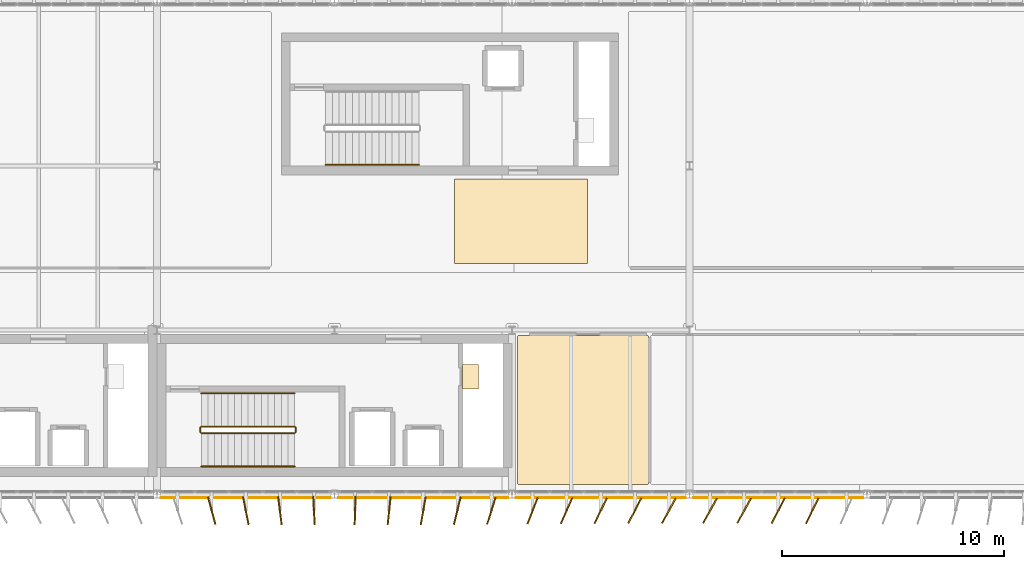
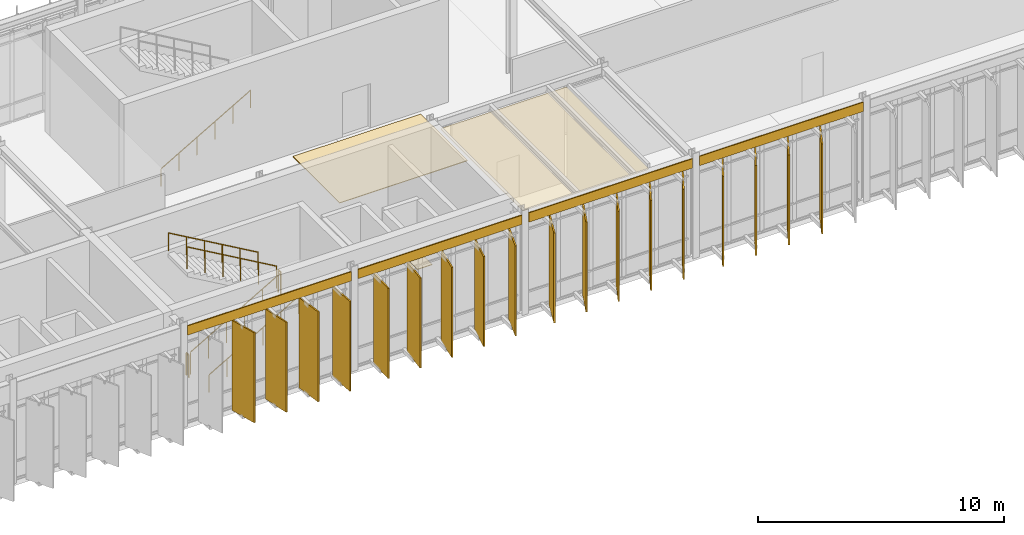
# One storey, part 42 of 48: 25 coverings, 7 railings.
"""IFC4 building model written with IfcOpenShell, lengths in metres."""

from ifc_helpers import new_model, si_unit, direction, frame, frame_2d, origin, origin_2d, place, context, subcontext, project, spatial, polyline, rectangle, circle, outline, extrude, material, layer, layer_set, type_object, element, save


model = new_model("IFC4")

# Units and contexts
model_context = context("Model", 3, precision=1e-05, world=origin(), true_north=direction((0.0, 1.0)))
body_context = subcontext(model_context, "Body", "Model", "MODEL_VIEW")
ifc_project = project(units=[si_unit("LENGTHUNIT", "METRE"), si_unit("AREAUNIT", "SQUARE_METRE"), si_unit("VOLUMEUNIT", "CUBIC_METRE"), si_unit("PLANEANGLEUNIT", "RADIAN"), si_unit("MASSUNIT", "GRAM", prefix="KILO")], contexts=[model_context])

# Site, building, storey
site_placement = place(None, origin())
site = spatial("IfcSite", under=ifc_project, at=site_placement, CompositionType="ELEMENT")
building_placement = place(site_placement, origin())
building = spatial("IfcBuilding", under=site, at=building_placement, Name="Valkorina Park Police Headquarters", CompositionType="ELEMENT")
storey_placement = place(building_placement, frame((0.0, 0.0, 18.10009765625)))
storey = spatial("IfcBuildingStorey", under=building, at=storey_placement, Name="L05", CompositionType="ELEMENT", Elevation=18.10009765625)

# Coverings
ifc_material_1 = material(Name="Acoustic mineral board")
ifc_layer_1 = layer(ifc_material_1, 0.02490234375)
ifc_layer_set_1 = layer_set([ifc_layer_1], Name="Acoustic mineral board")
covering_type_1 = type_object("IfcCoveringType", Name="COV-CEILING-ACOUST", PredefinedType="CEILING", material=ifc_layer_set_1)
covering_1_placement = place(storey_placement, frame((0.0, 0.0, 4.65478515625)))
element("IfcCovering", 1, at=covering_1_placement, inside=storey, type_object=covering_type_1, Name="L05 Accessible WC Acoustic Suspended Ceiling", PredefinedType="CEILING", context=body_context, shape_type="SweptSolid", body=[
    extrude(outline(polyline([(54.8955078125, 44.158447265625), (54.8876953125, 44.15966796875), (54.8798828125, 44.159912109375), (49.1201171875, 44.159912109375), (49.1123046875, 44.15966796875), (49.1044921875, 44.158447265625), (49.0966796875, 44.156494140625), (49.08935546875, 44.15380859375), (49.082275390625, 44.150634765625), (49.07568359375, 44.146484375), (49.069091796875, 44.141845703125), (49.0634765625, 44.13671875), (49.05810546875, 44.130859375), (49.053466796875, 44.12451171875), (49.04931640625, 44.11767578125), (49.046142578125, 44.110595703125), (49.04345703125, 44.103271484375), (49.04150390625, 44.095703125), (49.040283203125, 44.087890625), (49.0400390625, 44.080078125), (49.0400390625, 37.52001953125), (49.040283203125, 37.51220703125), (49.04150390625, 37.50439453125), (49.04345703125, 37.496826171875), (49.046142578125, 37.489501953125), (49.04931640625, 37.482421875), (49.053466796875, 37.4755859375), (49.05810546875, 37.46923828125), (49.0634765625, 37.46337890625), (49.069091796875, 37.458251953125), (49.07568359375, 37.45361328125), (49.082275390625, 37.449462890625), (49.08935546875, 37.446044921875), (49.0966796875, 37.443359375), (49.1044921875, 37.44140625), (49.1123046875, 37.4404296875), (49.1201171875, 37.43994140625), (54.8798828125, 37.43994140625), (54.8876953125, 37.4404296875), (54.8955078125, 37.44140625), (54.9033203125, 37.443359375), (54.91064453125, 37.446044921875), (54.917724609375, 37.449462890625), (54.92431640625, 37.45361328125), (54.930908203125, 37.458251953125), (54.9365234375, 37.46337890625), (54.94189453125, 37.46923828125), (54.946533203125, 37.4755859375), (54.95068359375, 37.482421875), (54.953857421875, 37.489501953125), (54.95654296875, 37.496826171875), (54.95849609375, 37.50439453125), (54.959716796875, 37.51220703125), (54.9599609375, 37.52001953125), (54.9599609375, 44.080078125), (54.959716796875, 44.087890625), (54.95849609375, 44.095703125), (54.95654296875, 44.103271484375), (54.953857421875, 44.110595703125), (54.95068359375, 44.11767578125), (54.946533203125, 44.12451171875), (54.94189453125, 44.130859375), (54.9365234375, 44.13671875), (54.930908203125, 44.141845703125), (54.92431640625, 44.146484375), (54.917724609375, 44.150634765625), (54.91064453125, 44.15380859375), (54.9033203125, 44.156494140625), (54.8955078125, 44.158447265625)])), origin(), (0.0, 0.0, 1.0), 0.025146484375),
])
ifc_material_2 = material(Name="Precast concrete C40/50", Category="concrete")
ifc_layer_2 = layer(ifc_material_2, 0.044921875)
ifc_layer_set_2 = layer_set([ifc_layer_2], Name="Precast concrete C40/50")
covering_type_2 = type_object("IfcCoveringType", Name="COV-CLAD-DOLOMITE", PredefinedType="CLADDING", material=ifc_layer_set_2)
for number, where, z_axis, x_axis, name in (
    (2, (64.639892578125, 36.840087890625, 4.52001953125), (0.0, 0.0, 1.0), (-1.0, 0.0, 0.0), "L05 Spandrel Beam Insulated Fascia 2402"),
    (3, (56.639892578125, 36.840087890625, 4.52001953125), (0.0, 0.0, 1.0), (-1.0, 0.0, 0.0), "L05 Spandrel Beam Insulated Fascia 2403"),
    (4, (48.639892578125, 36.840087890625, 4.52001953125), (0.0, 0.0, 1.0), (-1.0, 0.0, 0.0), "L05 Spandrel Beam Insulated Fascia 2404"),
    (5, (40.639892578125, 36.840087890625, 4.52001953125), (0.0, 0.0, 1.0), (-1.0, 0.0, 0.0), "L05 Spandrel Beam Insulated Fascia 2405"),
):
    element("IfcCovering", number, at=place(storey_placement, frame(where, z_axis=z_axis, x_axis=x_axis)), inside=storey, type_object=covering_type_2, Name=name, PredefinedType="CLADDING", context=body_context, shape_type="SweptSolid", body=[
        extrude(rectangle(XDim=7.679931640625, YDim=0.044921875, at=frame_2d((3.83984375, 0.0))), origin(), (0.0, 0.0, 1.0), 0.4599609375),
    ])
ifc_material_3 = material(Name="Resin terrazzo flooring")
ifc_layer_3 = layer(ifc_material_3, 0.030029296875)
ifc_layer_set_3 = layer_set([ifc_layer_3], Name="Resin terrazzo flooring")
covering_type_3 = type_object("IfcCoveringType", Name="COV-FLOOR-TERRAZZO", PredefinedType="FLOORING", material=ifc_layer_set_3)
covering_2_placement = place(storey_placement, origin())
element("IfcCovering", 6, at=covering_2_placement, inside=storey, type_object=covering_type_3, Name="Core C2 L05 Riser Inspection Threshold Grate", PredefinedType="FLOORING", context=body_context, shape_type="SweptSolid", body=[
    extrude(outline(polyline([(47.280029296875, 41.75), (47.280029296875, 42.85009765625), (46.580078125, 42.85009765625), (46.580078125, 41.75), (47.280029296875, 41.75)])), origin(), (0.0, 0.0, 1.0), 0.02978515625),
])
covering_3_placement = place(storey_placement, origin())
element("IfcCovering", 7, at=covering_3_placement, inside=storey, type_object=covering_type_3, Name="L05 Core C3 Access Corridor Terrazzo Flooring", PredefinedType="FLOORING", context=body_context, shape_type="SweptSolid", body=[
    extrude(outline(polyline([(46.199951171875, 51.199951171875), (46.199951171875, 47.39990234375), (52.199951171875, 47.39990234375), (52.199951171875, 51.199951171875), (46.199951171875, 51.199951171875)])), origin(), (0.0, 0.0, 1.0), 0.02978515625),
])

# Railings
ifc_material_4 = material(Name="Stainless steel EN 1.4404", Category="steel")
railing_type_1 = type_object("IfcRailingType", Name="RL-GUARD-INT-1100", PredefinedType="BALUSTRADE", material=ifc_material_4)
railing_1_placement = place(storey_placement, frame((34.800048828125, 39.75, 0.17333984375)))
element("IfcRailing", 8, at=railing_1_placement, inside=storey, type_object=railing_type_1, Name="L05 Core C2 Stair Guard 1", PredefinedType="BALUSTRADE", context=body_context, shape_type="SweptSolid", body=[
    extrude(circle(Radius=0.02392578125, at=origin_2d()), frame((0.0, 0.0, 1.09619140625), z_axis=(0.865876216699, 0.0, 0.50025831063), x_axis=(0.0, 1.0, 0.0)), (0.0, 0.0, 1.0), 4.8505859375),
    extrude(circle(Radius=0.02099609375, at=origin_2d()), origin(), (0.0, 0.0, 1.0), 1.072021484375),
    extrude(circle(Radius=0.02099609375, at=origin_2d()), frame((0.840087890625, 0.0, 0.4853515625)), (0.0, 0.0, 1.0), 1.072021484375),
    extrude(circle(Radius=0.02099609375, at=origin_2d()), frame((1.679931640625, 0.0, 0.970703125)), (0.0, 0.0, 1.0), 1.072021484375),
    extrude(circle(Radius=0.02099609375, at=origin_2d()), frame((2.52001953125, 0.0, 1.455810546875)), (0.0, 0.0, 1.0), 1.072021484375),
    extrude(circle(Radius=0.02099609375, at=origin_2d()), frame((3.35986328125, 0.0, 1.941162109375)), (0.0, 0.0, 1.0), 1.072021484375),
    extrude(circle(Radius=0.02099609375, at=origin_2d()), frame((4.199951171875, 0.0, 2.426513671875)), (0.0, 0.0, 1.0), 1.072021484375),
])
railing_2_placement = place(storey_placement, frame((39.050048828125, 39.800048828125, 2.599853515625)))
element("IfcRailing", 9, at=railing_2_placement, inside=storey, type_object=railing_type_1, Name="L05 Core C2 Stair Guard 2", PredefinedType="BALUSTRADE", context=body_context, shape_type="SweptSolid", body=[
    extrude(circle(Radius=0.02392578125, at=origin_2d()), frame((0.0, 0.0, 1.09619140625), z_axis=(0.0, 1.0, 0.0), x_axis=(-1.0, 0.0, 0.0)), (0.0, 0.0, 1.0), 0.199951171875),
    extrude(circle(Radius=0.02099609375, at=origin_2d()), origin(), (0.0, 0.0, 1.0), 1.072021484375),
    extrude(circle(Radius=0.02099609375, at=origin_2d()), frame((0.0, 0.199951171875, 0.0)), (0.0, 0.0, 1.0), 1.072021484375),
])
railing_3_placement = place(storey_placement, frame((39.0, 40.050048828125, 2.773193359375)))
element("IfcRailing", 10, at=railing_3_placement, inside=storey, type_object=railing_type_1, Name="L05 Core C2 Stair Guard 3", PredefinedType="BALUSTRADE", context=body_context, shape_type="SweptSolid", body=[
    extrude(circle(Radius=0.02392578125, at=origin_2d()), frame((0.0, 0.0, 1.09619140625), z_axis=(-0.865854414154, 0.0, 0.500296045846), x_axis=(0.0, -1.0, 0.0)), (0.0, 0.0, 1.0), 4.8505859375),
    extrude(circle(Radius=0.02099609375, at=origin_2d()), origin(), (0.0, 0.0, 1.0), 1.072021484375),
    extrude(circle(Radius=0.02099609375, at=origin_2d()), frame((-0.840087890625, 0.0, 0.4853515625)), (0.0, 0.0, 1.0), 1.072021484375),
    extrude(circle(Radius=0.02099609375, at=origin_2d()), frame((-1.679931640625, 0.0, 0.970703125)), (0.0, 0.0, 1.0), 1.072021484375),
    extrude(circle(Radius=0.02099609375, at=origin_2d()), frame((-2.52001953125, 0.0, 1.4560546875)), (0.0, 0.0, 1.0), 1.072021484375),
    extrude(circle(Radius=0.02099609375, at=origin_2d()), frame((-3.35986328125, 0.0, 1.94140625)), (0.0, 0.0, 1.0), 1.072021484375),
    extrude(circle(Radius=0.02099609375, at=origin_2d()), frame((-4.199951171875, 0.0, 2.4267578125)), (0.0, 0.0, 1.0), 1.072021484375),
])
railing_4_placement = place(storey_placement, frame((34.75, 39.800048828125, 0.0)))
element("IfcRailing", 11, at=railing_4_placement, inside=storey, type_object=railing_type_1, Name="L05 Core C2 Stair Guard 4", PredefinedType="BALUSTRADE", context=body_context, shape_type="SweptSolid", body=[
    extrude(circle(Radius=0.02392578125, at=origin_2d()), frame((0.0, 0.0, 1.09619140625), z_axis=(0.0, 1.0, 0.0), x_axis=(-1.0, 0.0, 0.0)), (0.0, 0.0, 1.0), 0.199951171875),
    extrude(circle(Radius=0.02099609375, at=origin_2d()), origin(), (0.0, 0.0, 1.0), 1.072021484375),
    extrude(circle(Radius=0.02099609375, at=origin_2d()), frame((0.0, 0.199951171875, 0.0)), (0.0, 0.0, 1.0), 1.072021484375),
])
railing_type_2 = type_object("IfcRailingType", Name="RL-HANDRAIL-900", PredefinedType="HANDRAIL", material=ifc_material_4)
railing_5_placement = place(storey_placement, frame((34.800048828125, 38.25, 0.17333984375)))
element("IfcRailing", 12, at=railing_5_placement, inside=storey, type_object=railing_type_2, Name="L05 Core C2 Stair Handrail 1", PredefinedType="HANDRAIL", context=body_context, shape_type="SweptSolid", body=[
    extrude(circle(Radius=0.02392578125, at=origin_2d()), frame((0.0, 0.0, 0.8759765625), z_axis=(0.865876216699, 0.0, 0.50025831063), x_axis=(0.0, 1.0, 0.0)), (0.0, 0.0, 1.0), 4.8505859375),
    extrude(circle(Radius=0.02099609375, at=origin_2d()), origin(), (0.0, 0.0, 1.0), 0.851806640625),
    extrude(circle(Radius=0.02099609375, at=origin_2d()), frame((0.840087890625, 0.0, 0.4853515625)), (0.0, 0.0, 1.0), 0.851806640625),
    extrude(circle(Radius=0.02099609375, at=origin_2d()), frame((1.679931640625, 0.0, 0.970703125)), (0.0, 0.0, 1.0), 0.851806640625),
    extrude(circle(Radius=0.02099609375, at=origin_2d()), frame((2.52001953125, 0.0, 1.455810546875)), (0.0, 0.0, 1.0), 0.851806640625),
    extrude(circle(Radius=0.02099609375, at=origin_2d()), frame((3.35986328125, 0.0, 1.941162109375)), (0.0, 0.0, 1.0), 0.851806640625),
    extrude(circle(Radius=0.02099609375, at=origin_2d()), frame((4.199951171875, 0.0, 2.426513671875)), (0.0, 0.0, 1.0), 0.851806640625),
])
railing_6_placement = place(storey_placement, frame((39.0, 41.550048828125, 2.773193359375)))
element("IfcRailing", 13, at=railing_6_placement, inside=storey, type_object=railing_type_2, Name="L05 Core C2 Stair Handrail 2", PredefinedType="HANDRAIL", context=body_context, shape_type="SweptSolid", body=[
    extrude(circle(Radius=0.02392578125, at=origin_2d()), frame((0.0, 0.0, 0.8759765625), z_axis=(-0.865854414154, 0.0, 0.500296045846), x_axis=(0.0, -1.0, 0.0)), (0.0, 0.0, 1.0), 4.8505859375),
    extrude(circle(Radius=0.02099609375, at=origin_2d()), origin(), (0.0, 0.0, 1.0), 0.851806640625),
    extrude(circle(Radius=0.02099609375, at=origin_2d()), frame((-0.840087890625, 0.0, 0.4853515625)), (0.0, 0.0, 1.0), 0.851806640625),
    extrude(circle(Radius=0.02099609375, at=origin_2d()), frame((-1.679931640625, 0.0, 0.970703125)), (0.0, 0.0, 1.0), 0.851806640625),
    extrude(circle(Radius=0.02099609375, at=origin_2d()), frame((-2.52001953125, 0.0, 1.4560546875)), (0.0, 0.0, 1.0), 0.851806640625),
    extrude(circle(Radius=0.02099609375, at=origin_2d()), frame((-3.35986328125, 0.0, 1.94140625)), (0.0, 0.0, 1.0), 0.851806640625),
    extrude(circle(Radius=0.02099609375, at=origin_2d()), frame((-4.199951171875, 0.0, 2.4267578125)), (0.0, 0.0, 1.0), 0.851806640625),
])
railing_7_placement = place(storey_placement, frame((40.39990234375, 51.85009765625, 0.17333984375)))
element("IfcRailing", 14, at=railing_7_placement, inside=storey, type_object=railing_type_2, Name="L05 Core C3 Stair Handrail 1", PredefinedType="HANDRAIL", context=body_context, shape_type="SweptSolid", body=[
    extrude(circle(Radius=0.02392578125, at=origin_2d()), frame((0.0, 0.0, 0.8759765625), z_axis=(0.865888812096, 0.0, 0.50023650915), x_axis=(0.0, 1.0, 0.0)), (0.0, 0.0, 1.0), 4.850830078125),
    extrude(circle(Radius=0.02099609375, at=origin_2d()), origin(), (0.0, 0.0, 1.0), 0.851806640625),
    extrude(circle(Radius=0.02099609375, at=origin_2d()), frame((0.840087890625, 0.0, 0.4853515625)), (0.0, 0.0, 1.0), 0.851806640625),
    extrude(circle(Radius=0.02099609375, at=origin_2d()), frame((1.68017578125, 0.0, 0.970703125)), (0.0, 0.0, 1.0), 0.851806640625),
    extrude(circle(Radius=0.02099609375, at=origin_2d()), frame((2.52001953125, 0.0, 1.455810546875)), (0.0, 0.0, 1.0), 0.851806640625),
    extrude(circle(Radius=0.02099609375, at=origin_2d()), frame((3.360107421875, 0.0, 1.941162109375)), (0.0, 0.0, 1.0), 0.851806640625),
    extrude(circle(Radius=0.02099609375, at=origin_2d()), frame((4.2001953125, 0.0, 2.426513671875)), (0.0, 0.0, 1.0), 0.851806640625),
])

# Coverings
ifc_material_5 = material(Name="Polychrome anodized aluminium - Baltic Amber", Category="aluminium")
ifc_layer_4 = layer(ifc_material_5, 0.06494140625)
ifc_layer_set_4 = layer_set([ifc_layer_4], Name="Polychrome anodized aluminium - Baltic Amber")
covering_type_4 = type_object("IfcCoveringType", Name="SHD-LOUVRE-AMBER", PredefinedType="CLADDING", material=ifc_layer_set_4)
for number, where, z_axis, x_axis, name in (
    (15, (62.3359375, 36.260009765625, 0.0400390625), (0.0, 0.0, 1.0), (-0.439939169856, -0.898027575761, 0.0), "V5 Polychrome Pivoting Louvre 0189"),
    (16, (55.8720703125, 36.260009765625, 0.0400390625), (0.0, 0.0, 1.0), (-0.478998302645, -0.877815826961, 0.0), "V5 Polychrome Pivoting Louvre 0193"),
    (17, (49.72802734375, 36.260009765625, 0.0400390625), (0.0, 0.0, 1.0), (-0.363088614146, -0.931754612695, 0.0), "V5 Polychrome Pivoting Louvre 0197"),
    (18, (43.263916015625, 36.260009765625, 0.0400390625), (0.0, 0.0, 1.0), (-0.105396307434, -0.994430298402, 0.0), "V5 Polychrome Pivoting Louvre 0201"),
    (19, (36.800048828125, 36.260009765625, 0.0400390625), (0.0, 0.0, 1.0), (0.197486247774, -0.980305657405, 0.0), "V5 Polychrome Pivoting Louvre 0205"),
):
    element("IfcCovering", number, at=place(storey_placement, frame(where, z_axis=z_axis, x_axis=x_axis)), inside=storey, type_object=covering_type_4, Name=name, PredefinedType="CLADDING", context=body_context, shape_type="SweptSolid", body=[
        extrude(rectangle(XDim=1.280029296875, YDim=0.06494140625, at=origin_2d()), origin(), (0.0, 0.0, 1.0), 4.4599609375),
    ])
ifc_material_6 = material(Name="Polychrome anodized aluminium - Riga Ochre", Category="aluminium")
ifc_layer_5 = layer(ifc_material_6, 0.06494140625)
ifc_layer_set_5 = layer_set([ifc_layer_5], Name="Polychrome anodized aluminium - Riga Ochre")
covering_type_5 = type_object("IfcCoveringType", Name="SHD-LOUVRE-OCHRE", PredefinedType="CLADDING", material=ifc_layer_set_5)
for number, where, z_axis, x_axis, name in (
    (20, (59.263916015625, 36.260009765625, 0.0400390625), (0.0, 0.0, 1.0), (-0.479151503112, -0.877732212617, 0.0), "V5 Polychrome Pivoting Louvre 0191"),
    (21, (52.800048828125, 36.260009765625, 0.0400390625), (0.0, 0.0, 1.0), (-0.43915532554, -0.898411153119, 0.0), "V5 Polychrome Pivoting Louvre 0195"),
    (22, (46.3359375, 36.260009765625, 0.0400390625), (0.0, 0.0, 1.0), (-0.241244442494, -0.970464383152, 0.0), "V5 Polychrome Pivoting Louvre 0199"),
    (23, (39.8720703125, 36.260009765625, 0.0400390625), (0.0, 0.0, 1.0), (0.056518534482, -0.998401550109, 0.0), "V5 Polychrome Pivoting Louvre 0203"),
):
    element("IfcCovering", number, at=place(storey_placement, frame(where, z_axis=z_axis, x_axis=x_axis)), inside=storey, type_object=covering_type_5, Name=name, PredefinedType="CLADDING", context=body_context, shape_type="SweptSolid", body=[
        extrude(rectangle(XDim=1.280029296875, YDim=0.06494140625, at=origin_2d()), origin(), (0.0, 0.0, 1.0), 4.4599609375),
    ])
ifc_material_7 = material(Name="Polychrome anodized aluminium - Courland Slate Blue", Category="masonry")
ifc_layer_6 = layer(ifc_material_7, 0.06494140625)
ifc_layer_set_6 = layer_set([ifc_layer_6], Name="Polychrome anodized aluminium - Courland Slate Blue")
covering_type_6 = type_object("IfcCoveringType", Name="SHD-LOUVRE-SLATE", PredefinedType="CLADDING", material=ifc_layer_set_6)
for number, where, z_axis, x_axis, name in (
    (24, (57.72802734375, 36.260009765625, 0.0400390625), (0.0, 0.0, 1.0), (-0.484809620246, -0.874619707139, 0.0), "V5 Polychrome Pivoting Louvre 0192"),
    (25, (51.263916015625, 36.260009765625, 0.0400390625), (0.0, 0.0, 1.0), (-0.405620233474, -0.914041698281, 0.0), "V5 Polychrome Pivoting Louvre 0196"),
    (26, (44.800048828125, 36.260009765625, 0.0400390625), (0.0, 0.0, 1.0), (-0.17553855164, -0.984472557712, 0.0), "V5 Polychrome Pivoting Louvre 0200"),
    (27, (38.3359375, 36.260009765625, 0.0400390625), (0.0, 0.0, 1.0), (0.128795596578, -0.991671162383, 0.0), "V5 Polychrome Pivoting Louvre 0204"),
):
    element("IfcCovering", number, at=place(storey_placement, frame(where, z_axis=z_axis, x_axis=x_axis)), inside=storey, type_object=covering_type_6, Name=name, PredefinedType="CLADDING", context=body_context, shape_type="SweptSolid", body=[
        extrude(rectangle(XDim=1.280029296875, YDim=0.06494140625, at=origin_2d()), origin(), (0.0, 0.0, 1.0), 4.4599609375),
    ])
ifc_material_8 = material(Name="Polychrome anodized aluminium - Pine Verdigris", Category="aluminium")
ifc_layer_7 = layer(ifc_material_8, 0.06494140625)
ifc_layer_set_7 = layer_set([ifc_layer_7], Name="Polychrome anodized aluminium - Pine Verdigris")
covering_type_7 = type_object("IfcCoveringType", Name="SHD-LOUVRE-VERDIGRIS", PredefinedType="CLADDING", material=ifc_layer_set_7)
for number, where, z_axis, x_axis, name in (
    (28, (60.800048828125, 36.260009765625, 0.0400390625), (0.0, 0.0, 1.0), (-0.464223811138, -0.885717930931, 0.0), "V5 Polychrome Pivoting Louvre 0190"),
    (29, (54.3359375, 36.260009765625, 0.0400390625), (0.0, 0.0, 1.0), (-0.4637599867, -0.885960876527, 0.0), "V5 Polychrome Pivoting Louvre 0194"),
    (30, (47.8720703125, 36.260009765625, 0.0400390625), (0.0, 0.0, 1.0), (-0.300872249933, -0.95366445316, 0.0), "V5 Polychrome Pivoting Louvre 0198"),
    (31, (41.72802734375, 36.260009765625, 0.0400390625), (0.0, 0.0, 1.0), (-0.032631862958, -0.999467438949, 0.0), "V5 Polychrome Pivoting Louvre 0202"),
    (32, (35.263916015625, 36.260009765625, 0.0400390625), (0.0, 0.0, 1.0), (0.261346943155, -0.965244930214, 0.0), "V5 Polychrome Pivoting Louvre 0206"),
):
    element("IfcCovering", number, at=place(storey_placement, frame(where, z_axis=z_axis, x_axis=x_axis)), inside=storey, type_object=covering_type_7, Name=name, PredefinedType="CLADDING", context=body_context, shape_type="SweptSolid", body=[
        extrude(rectangle(XDim=1.280029296875, YDim=0.06494140625, at=origin_2d()), origin(), (0.0, 0.0, 1.0), 4.4599609375),
    ])

save(model, "model.ifc")
